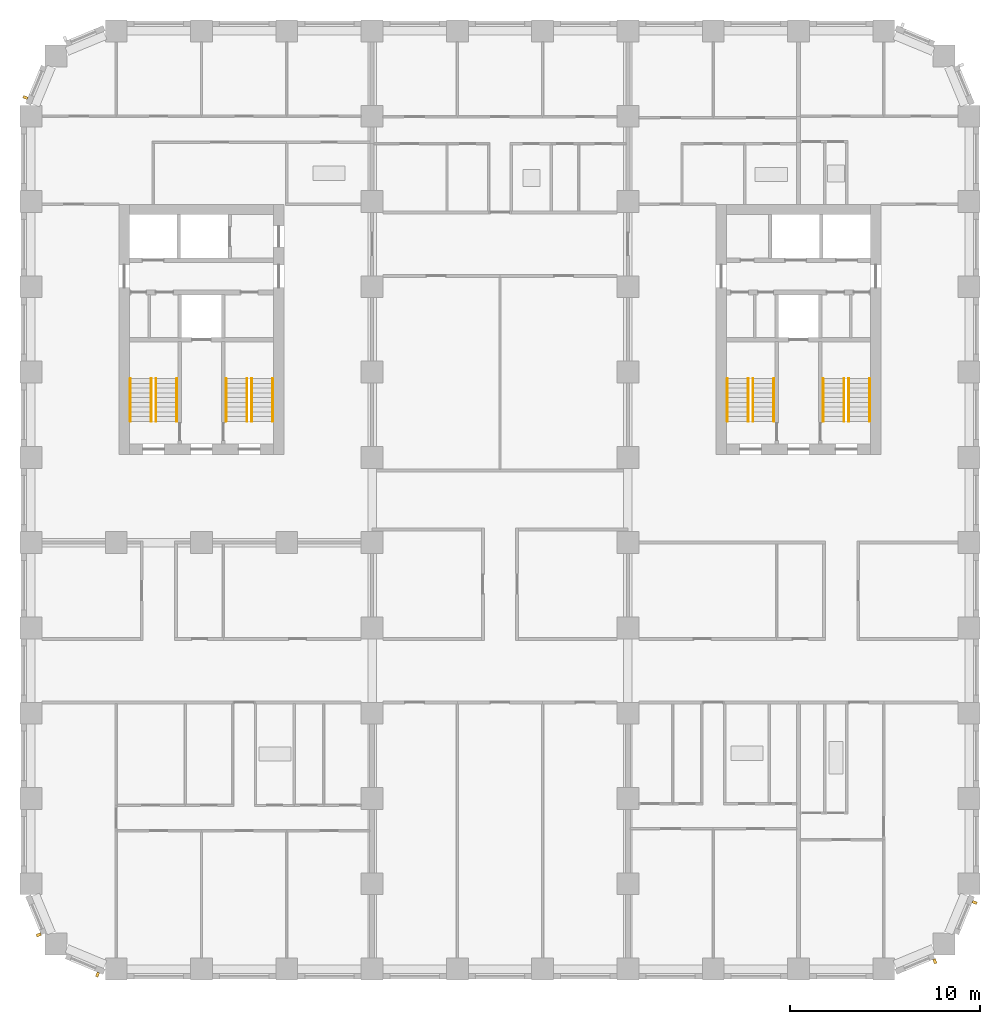
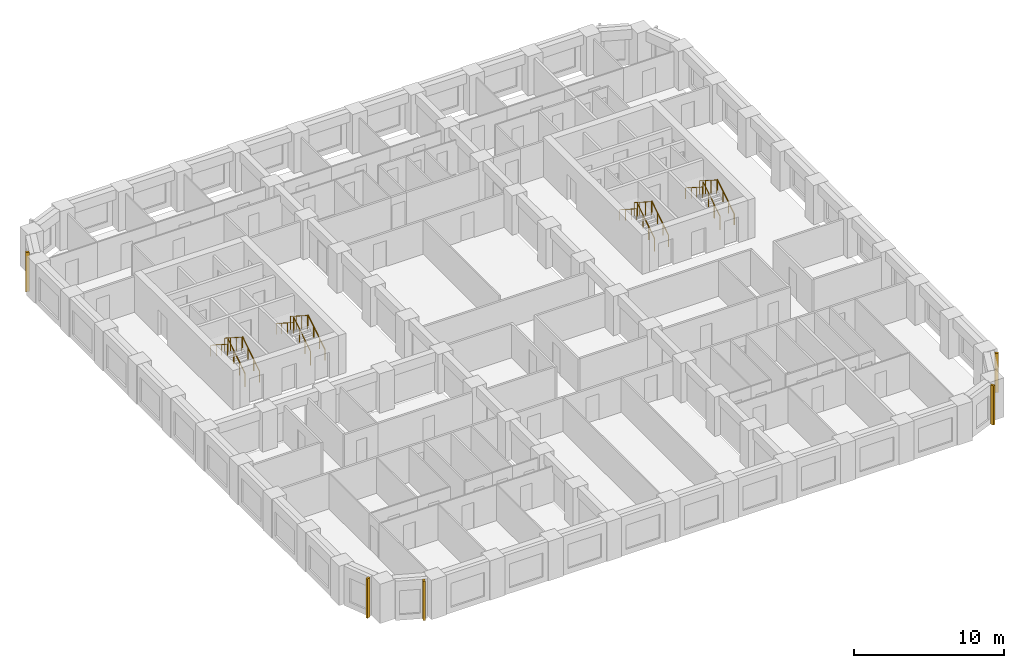
# One storey, part 11 of 13: 16 railings, 5 shading devices.
"""IFC4 building model written with IfcOpenShell, lengths in metres."""

import ifcopenshell
import ifcopenshell.guid

model = None  # the IFC model being written
_history = None  # IfcOwnerHistory: only IFC2X3 demands one
_inside = {}  # id of a spatial element -> (the spatial element, [elements in it])
_under = {}  # id of a project, library or spatial element -> (it, [spatial elements below it])
_declared = {}  # id of a project -> (the project, [libraries it declares])
_typed = {}  # id of a type object -> (the type object, [elements of that type])
_made_of = {}  # id of a material, layer set ... -> (it, [elements and type objects made of it])


def new_model(schema):
    """Start an empty IFC model of exactly this schema.

    Asked for "IFC4X3", IfcOpenShell would pick the latest addendum, in which some entities
    have other attributes; the version numbers below select the first issue.
    IFC2X3 requires an IfcOwnerHistory on every rooted entity: one is made here for all.
    """
    global model, _history
    if schema == "IFC4X3":
        model = ifcopenshell.file(schema_version=(4, 3, 0, 0))
    else:
        model = ifcopenshell.file(schema=schema)
    _inside.clear()
    _under.clear()
    _declared.clear()
    _typed.clear()
    _made_of.clear()
    _history = None
    if model.schema == "IFC2X3":
        org = make("IfcOrganization", Name="unknown")
        user = make(
            "IfcPersonAndOrganization",
            ThePerson=make("IfcPerson", FamilyName="unknown"),
            TheOrganization=org,
        )
        app = make(
            "IfcApplication",
            ApplicationDeveloper=org,
            Version="unknown",
            ApplicationFullName="unknown",
            ApplicationIdentifier="unknown",
        )
        _history = make(
            "IfcOwnerHistory",
            OwningUser=user,
            OwningApplication=app,
            ChangeAction="ADDED",
            CreationDate=0,
        )
    return model


def make(cls, **values):
    """One entity of the class cls with the attributes given. An attribute that is None is left unset."""
    return model.create_entity(
        cls, **{name: value for name, value in values.items() if value is not None}
    )


def rooted(cls, **values):
    """An entity with a GlobalId (a new one), such as an element, a storey or a relation."""
    return make(cls, GlobalId=ifcopenshell.guid.new(), OwnerHistory=_history, **values)


def si_unit(unit_type, name, prefix=None):
    """IfcSIUnit, for example si_unit("LENGTHUNIT", "METRE", prefix="MILLI")."""
    return make("IfcSIUnit", UnitType=unit_type, Prefix=prefix, Name=name)


def assignment(units):
    """IfcUnitAssignment: the units of a project."""
    return None if units is None else make("IfcUnitAssignment", Units=units)


def point(xyz):
    """IfcCartesianPoint."""
    return None if xyz is None else make("IfcCartesianPoint", Coordinates=xyz)


def direction(xyz):
    """IfcDirection."""
    return None if xyz is None else make("IfcDirection", DirectionRatios=xyz)


def frame(location, z_axis=None, x_axis=None):
    """IfcAxis2Placement3D, a coordinate frame: its origin and axes. An axis left out is left unset."""
    return make(
        "IfcAxis2Placement3D",
        Location=point(location),
        Axis=direction(z_axis),
        RefDirection=direction(x_axis),
    )


def frame_2d(location, x_axis=None):
    """IfcAxis2Placement2D, a coordinate frame in the plane: its origin and x axis."""
    return make(
        "IfcAxis2Placement2D", Location=point(location), RefDirection=direction(x_axis)
    )


def origin():
    """The frame at (0, 0, 0) with its axes left unset."""
    return frame((0.0, 0.0, 0.0))


def origin_2d():
    """The frame at (0, 0) in the plane with its x axis left unset."""
    return frame_2d((0.0, 0.0))


def place(relative_to, where):
    """IfcLocalPlacement: puts the frame where relative to a parent placement (None: the world)."""
    return make(
        "IfcLocalPlacement", PlacementRelTo=relative_to, RelativePlacement=where
    )


def context(
    kind, dimensions, precision=None, world=None, true_north=None, identifier=None
):
    """IfcGeometricRepresentationContext, for example the 3D "Model" context."""
    return make(
        "IfcGeometricRepresentationContext",
        ContextIdentifier=identifier,
        ContextType=kind,
        CoordinateSpaceDimension=dimensions,
        Precision=precision,
        WorldCoordinateSystem=world,
        TrueNorth=true_north,
    )


def subcontext(parent, identifier, kind, view, scale=None):
    """IfcGeometricRepresentationSubContext, for example "Body" below "Model"."""
    return make(
        "IfcGeometricRepresentationSubContext",
        ContextIdentifier=identifier,
        ContextType=kind,
        ParentContext=parent,
        TargetScale=scale,
        TargetView=view,
    )


def project(units=None, contexts=None):
    """IfcProject with its units and contexts."""
    return rooted(
        "IfcProject",
        Name="project",
        RepresentationContexts=contexts,
        UnitsInContext=assignment(units),
    )


def spatial(cls, under=None, at=None, **own):
    """A site, building, storey or space (cls), placed at a placement, below another one or the project."""
    s = rooted(cls, ObjectPlacement=at, **own)
    if under is not None:
        _under.setdefault(under.id(), (under, []))[1].append(s)
    return s


def profile(cls, at=None, kind="AREA", **sizes):
    """A parametric profile (cls). Its sizes go by their IFC names, for example OverallWidth=200.0."""
    return make(cls, ProfileType=kind, Position=at, **sizes)


def rectangle(**sizes):
    """IfcRectangleProfileDef."""
    return profile("IfcRectangleProfileDef", **sizes)


def circle(**sizes):
    """IfcCircleProfileDef."""
    return profile("IfcCircleProfileDef", **sizes)


def extrude(swept, where, along, depth):
    """IfcExtrudedAreaSolid: the profile swept, set in the frame where, extruded along a direction by depth."""
    return make(
        "IfcExtrudedAreaSolid",
        SweptArea=swept,
        Position=where,
        ExtrudedDirection=direction(along),
        Depth=depth,
    )


def shape(context_of_items, identifier, shape_type, items):
    """IfcShapeRepresentation: the items that make up one representation, for example the "Body"."""
    return make(
        "IfcShapeRepresentation",
        ContextOfItems=context_of_items,
        RepresentationIdentifier=identifier,
        RepresentationType=shape_type,
        Items=items,
    )


def material(Name=None, Category=None):
    """IfcMaterial."""
    return make("IfcMaterial", Name=Name, Category=Category)


def made_of(thing, what):
    """Note that an element or type object is made of a material, layer set ...; save() writes the relation."""
    if what is not None:
        _made_of.setdefault(what.id(), (what, []))[1].append(thing)
    return thing


def type_object(cls, material=None, **own):
    """A type object (cls), such as IfcWallType, which elements share."""
    return made_of(rooted(cls, **own), material)


def element(
    cls,
    number,
    at=None,
    inside=None,
    cuts=None,
    type_object=None,
    material=None,
    context=None,
    identifier="Body",
    shape_type=None,
    held_by="IfcProductDefinitionShape",
    body=None,
    shapes=None,
    **own,
):
    """One element of the class cls, such as IfcWall. Its Tag is "e" and its number.

    at: its placement. inside: the storey or other place that contains it. cuts: it is an
    opening in that element (IfcRelVoidsElement). A single representation is given by context,
    identifier, shape_type and body (its items); several are given by shapes. held_by: the class
    of the entity that holds the representations. save() writes the other relations.
    """
    e = rooted(cls, Tag="e%d" % number, ObjectPlacement=at, **own)
    if body is not None:
        shapes = [shape(context, identifier, shape_type, body)]
    if shapes is not None:
        e.Representation = make(held_by, Representations=shapes)
    if inside is not None:
        _inside.setdefault(inside.id(), (inside, []))[1].append(e)
    if cuts is not None:
        rooted(
            "IfcRelVoidsElement", RelatingBuildingElement=cuts, RelatedOpeningElement=e
        )
    if type_object is not None:
        _typed.setdefault(type_object.id(), (type_object, []))[1].append(e)
    return made_of(e, material)


def aggregate(whole, parts):
    """IfcRelAggregates: a whole, such as a stair, and the parts it consists of."""
    return rooted("IfcRelAggregates", RelatingObject=whole, RelatedObjects=parts)


def save(model, path):
    """Write the relations noted so far, then the file.

    IfcRelAggregates (storeys below a building ...), IfcRelContainedInSpatialStructure (elements
    in a storey), IfcRelDefinesByType, IfcRelAssociatesMaterial and IfcRelDeclares: one each for
    every whole, place, type object, material and project.
    """
    for whole, parts in _under.values():
        aggregate(whole, parts)
    for where, things in _inside.values():
        rooted(
            "IfcRelContainedInSpatialStructure",
            RelatedElements=things,
            RelatingStructure=where,
        )
    for kind, things in _typed.values():
        rooted("IfcRelDefinesByType", RelatedObjects=things, RelatingType=kind)
    for what, things in _made_of.values():
        rooted("IfcRelAssociatesMaterial", RelatedObjects=things, RelatingMaterial=what)
    for by, libraries in _declared.values():
        rooted("IfcRelDeclares", RelatingContext=by, RelatedDefinitions=libraries)
    model.write(path)


model = new_model("IFC4")

# Units and contexts
model_context = context("Model", 3, precision=1e-05, world=origin(), true_north=direction((0.0, 1.0)))
body_context = subcontext(model_context, "Body", "Model", "MODEL_VIEW")
ifc_project = project(units=[si_unit("LENGTHUNIT", "METRE"), si_unit("AREAUNIT", "SQUARE_METRE"), si_unit("VOLUMEUNIT", "CUBIC_METRE"), si_unit("PLANEANGLEUNIT", "RADIAN"), si_unit("MASSUNIT", "GRAM", prefix="KILO")], contexts=[model_context])

# Site, building, storey
site_placement = place(None, origin())
site = spatial("IfcSite", under=ifc_project, at=site_placement, CompositionType="ELEMENT")
building_placement = place(site_placement, origin())
building = spatial("IfcBuilding", under=site, at=building_placement, Name="Girih Gate Residences", CompositionType="ELEMENT")
storey_placement = place(building_placement, frame((0.0, 0.0, 83.199951171875)))
storey = spatial("IfcBuildingStorey", under=building, at=storey_placement, Name="L22", CompositionType="ELEMENT", Elevation=83.199951171875)

# Shading devices
ifc_material_1 = material(Name="Precast concrete C50/60", Category="concrete")
shading_device_type = type_object("IfcShadingDeviceType", Name="Corner rib 150x250", PredefinedType="USERDEFINED", material=ifc_material_1)
for number, where, z_axis, x_axis, name in (
    (1, (0.412353515625, 1.8056640625, 0.0), (0.0, 0.0, 1.0), (0.382683432365, -0.923879532511, 0.0), "Corner rib SW0000_0045.0"),
    (2, (3.514892578125, -0.29541015625, 0.0), (0.0, 0.0, 1.0), (0.923879532511, -0.382683432365, 0.0), "Corner rib SW0013_0013.0"),
    (3, (47.6943359375, 0.412353515625, 0.0), (0.0, 0.0, 1.0), (0.923879532511, 0.382683432365, 0.0), "Corner rib SE0450_0000.0"),
    (4, (49.79541015625, 3.514892578125, 0.0), (0.0, 0.0, 1.0), (0.382683432365, 0.923879532511, 0.0), "Corner rib SE0482_0013.0"),
    (5, (-0.29541015625, 45.985107421875, 0.0), (0.0, 0.0, 1.0), (-0.382683432365, -0.923879532511, 0.0), "Corner rib NW0013_0482.0"),
):
    element("IfcShadingDevice", number, at=place(storey_placement, frame(where, z_axis=z_axis, x_axis=x_axis)), inside=storey, type_object=shading_device_type, Name=name, ObjectType="FIN", PredefinedType="USERDEFINED", context=body_context, shape_type="SweptSolid", body=[
        extrude(rectangle(XDim=0.14990234375, YDim=0.25, at=origin_2d()), origin(), (0.0, 0.0, 1.0), 3.199951171875),
    ])

# Railings
ifc_material_2 = material(Name="Stainless steel", Category="steel")
railing_type_1 = type_object("IfcRailingType", Name="Stair guard 1100", PredefinedType="GUARDRAIL", material=ifc_material_2)
railing_1_placement = place(storey_placement, frame((6.60009765625, 28.89990234375, 0.16015625)))
element("IfcRailing", 6, at=railing_1_placement, inside=storey, type_object=railing_type_1, Name="L22 ST-W1 stair guard 1", PredefinedType="GUARDRAIL", context=body_context, shape_type="SweptSolid", body=[
    extrude(circle(Radius=0.02392578125, at=origin_2d()), frame((0.0, 0.0, 1.076171875), z_axis=(0.0, 0.842281359387, 0.539038135598), x_axis=(-1.0, 0.0, 0.0)), (0.0, 0.0, 1.0), 2.67138671875),
    extrude(circle(Radius=0.02099609375, at=origin_2d()), origin(), (0.0, 0.0, 1.0), 1.052001953125),
    extrude(circle(Radius=0.02099609375, at=origin_2d()), frame((0.0, 0.75, 0.47998046875)), (0.0, 0.0, 1.0), 1.052001953125),
    extrude(circle(Radius=0.02099609375, at=origin_2d()), frame((0.0, 1.5, 0.9599609375)), (0.0, 0.0, 1.0), 1.052001953125),
    extrude(circle(Radius=0.02099609375, at=origin_2d()), frame((0.0, 2.25, 1.43994140625)), (0.0, 0.0, 1.0), 1.052001953125),
])
railing_2_placement = place(storey_placement, frame((6.35009765625, 31.14990234375, 1.760009765625)))
element("IfcRailing", 7, at=railing_2_placement, inside=storey, type_object=railing_type_1, Name="L22 ST-W1 stair guard 2", PredefinedType="GUARDRAIL", context=body_context, shape_type="SweptSolid", body=[
    extrude(circle(Radius=0.02392578125, at=origin_2d()), frame((0.0, 0.0, 1.076171875), z_axis=(0.0, -0.842281359387, 0.539038135598), x_axis=(1.0, 0.0, 0.0)), (0.0, 0.0, 1.0), 2.67138671875),
    extrude(circle(Radius=0.02099609375, at=origin_2d()), origin(), (0.0, 0.0, 1.0), 1.052001953125),
    extrude(circle(Radius=0.02099609375, at=origin_2d()), frame((0.0, -0.75, 0.47998046875)), (0.0, 0.0, 1.0), 1.052001953125),
    extrude(circle(Radius=0.02099609375, at=origin_2d()), frame((0.0, -1.5, 0.9599609375)), (0.0, 0.0, 1.0), 1.052001953125),
    extrude(circle(Radius=0.02099609375, at=origin_2d()), frame((0.0, -2.25, 1.43994140625)), (0.0, 0.0, 1.0), 1.052001953125),
])
railing_3_placement = place(storey_placement, frame((11.64990234375, 28.89990234375, 0.16015625)))
element("IfcRailing", 8, at=railing_3_placement, inside=storey, type_object=railing_type_1, Name="L22 ST-W2 stair guard 1", PredefinedType="GUARDRAIL", context=body_context, shape_type="SweptSolid", body=[
    extrude(circle(Radius=0.02392578125, at=origin_2d()), frame((0.0, 0.0, 1.076171875), z_axis=(0.0, 0.842281359387, 0.539038135598), x_axis=(-1.0, 0.0, 0.0)), (0.0, 0.0, 1.0), 2.67138671875),
    extrude(circle(Radius=0.02099609375, at=origin_2d()), origin(), (0.0, 0.0, 1.0), 1.052001953125),
    extrude(circle(Radius=0.02099609375, at=origin_2d()), frame((0.0, 0.75, 0.47998046875)), (0.0, 0.0, 1.0), 1.052001953125),
    extrude(circle(Radius=0.02099609375, at=origin_2d()), frame((0.0, 1.5, 0.9599609375)), (0.0, 0.0, 1.0), 1.052001953125),
    extrude(circle(Radius=0.02099609375, at=origin_2d()), frame((0.0, 2.25, 1.43994140625)), (0.0, 0.0, 1.0), 1.052001953125),
])
railing_4_placement = place(storey_placement, frame((11.39990234375, 31.14990234375, 1.760009765625)))
element("IfcRailing", 9, at=railing_4_placement, inside=storey, type_object=railing_type_1, Name="L22 ST-W2 stair guard 2", PredefinedType="GUARDRAIL", context=body_context, shape_type="SweptSolid", body=[
    extrude(circle(Radius=0.02392578125, at=origin_2d()), frame((0.0, 0.0, 1.076171875), z_axis=(0.0, -0.842281359387, 0.539038135598), x_axis=(1.0, 0.0, 0.0)), (0.0, 0.0, 1.0), 2.67138671875),
    extrude(circle(Radius=0.02099609375, at=origin_2d()), origin(), (0.0, 0.0, 1.0), 1.052001953125),
    extrude(circle(Radius=0.02099609375, at=origin_2d()), frame((0.0, -0.75, 0.47998046875)), (0.0, 0.0, 1.0), 1.052001953125),
    extrude(circle(Radius=0.02099609375, at=origin_2d()), frame((0.0, -1.5, 0.9599609375)), (0.0, 0.0, 1.0), 1.052001953125),
    extrude(circle(Radius=0.02099609375, at=origin_2d()), frame((0.0, -2.25, 1.43994140625)), (0.0, 0.0, 1.0), 1.052001953125),
])
railing_5_placement = place(storey_placement, frame((43.14990234375, 28.89990234375, 0.16015625)))
element("IfcRailing", 10, at=railing_5_placement, inside=storey, type_object=railing_type_1, Name="L22 ST-E1 stair guard 1", PredefinedType="GUARDRAIL", context=body_context, shape_type="SweptSolid", body=[
    extrude(circle(Radius=0.02392578125, at=origin_2d()), frame((0.0, 0.0, 1.076171875), z_axis=(0.0, 0.842281359387, 0.539038135598), x_axis=(-1.0, 0.0, 0.0)), (0.0, 0.0, 1.0), 2.67138671875),
    extrude(circle(Radius=0.02099609375, at=origin_2d()), origin(), (0.0, 0.0, 1.0), 1.052001953125),
    extrude(circle(Radius=0.02099609375, at=origin_2d()), frame((0.0, 0.75, 0.47998046875)), (0.0, 0.0, 1.0), 1.052001953125),
    extrude(circle(Radius=0.02099609375, at=origin_2d()), frame((0.0, 1.5, 0.9599609375)), (0.0, 0.0, 1.0), 1.052001953125),
    extrude(circle(Radius=0.02099609375, at=origin_2d()), frame((0.0, 2.25, 1.43994140625)), (0.0, 0.0, 1.0), 1.052001953125),
])
railing_6_placement = place(storey_placement, frame((42.89990234375, 31.14990234375, 1.760009765625)))
element("IfcRailing", 11, at=railing_6_placement, inside=storey, type_object=railing_type_1, Name="L22 ST-E1 stair guard 2", PredefinedType="GUARDRAIL", context=body_context, shape_type="SweptSolid", body=[
    extrude(circle(Radius=0.02392578125, at=origin_2d()), frame((0.0, 0.0, 1.076171875), z_axis=(0.0, -0.842281359387, 0.539038135598), x_axis=(1.0, 0.0, 0.0)), (0.0, 0.0, 1.0), 2.67138671875),
    extrude(circle(Radius=0.02099609375, at=origin_2d()), origin(), (0.0, 0.0, 1.0), 1.052001953125),
    extrude(circle(Radius=0.02099609375, at=origin_2d()), frame((0.0, -0.75, 0.47998046875)), (0.0, 0.0, 1.0), 1.052001953125),
    extrude(circle(Radius=0.02099609375, at=origin_2d()), frame((0.0, -1.5, 0.9599609375)), (0.0, 0.0, 1.0), 1.052001953125),
    extrude(circle(Radius=0.02099609375, at=origin_2d()), frame((0.0, -2.25, 1.43994140625)), (0.0, 0.0, 1.0), 1.052001953125),
])
railing_7_placement = place(storey_placement, frame((38.10009765625, 28.89990234375, 0.16015625)))
element("IfcRailing", 12, at=railing_7_placement, inside=storey, type_object=railing_type_1, Name="L22 ST-E2 stair guard 1", PredefinedType="GUARDRAIL", context=body_context, shape_type="SweptSolid", body=[
    extrude(circle(Radius=0.02392578125, at=origin_2d()), frame((0.0, 0.0, 1.076171875), z_axis=(0.0, 0.842281359387, 0.539038135598), x_axis=(-1.0, 0.0, 0.0)), (0.0, 0.0, 1.0), 2.67138671875),
    extrude(circle(Radius=0.02099609375, at=origin_2d()), origin(), (0.0, 0.0, 1.0), 1.052001953125),
    extrude(circle(Radius=0.02099609375, at=origin_2d()), frame((0.0, 0.75, 0.47998046875)), (0.0, 0.0, 1.0), 1.052001953125),
    extrude(circle(Radius=0.02099609375, at=origin_2d()), frame((0.0, 1.5, 0.9599609375)), (0.0, 0.0, 1.0), 1.052001953125),
    extrude(circle(Radius=0.02099609375, at=origin_2d()), frame((0.0, 2.25, 1.43994140625)), (0.0, 0.0, 1.0), 1.052001953125),
])
railing_8_placement = place(storey_placement, frame((37.85009765625, 31.14990234375, 1.760009765625)))
element("IfcRailing", 13, at=railing_8_placement, inside=storey, type_object=railing_type_1, Name="L22 ST-E2 stair guard 2", PredefinedType="GUARDRAIL", context=body_context, shape_type="SweptSolid", body=[
    extrude(circle(Radius=0.02392578125, at=origin_2d()), frame((0.0, 0.0, 1.076171875), z_axis=(0.0, -0.842281359387, 0.539038135598), x_axis=(1.0, 0.0, 0.0)), (0.0, 0.0, 1.0), 2.67138671875),
    extrude(circle(Radius=0.02099609375, at=origin_2d()), origin(), (0.0, 0.0, 1.0), 1.052001953125),
    extrude(circle(Radius=0.02099609375, at=origin_2d()), frame((0.0, -0.75, 0.47998046875)), (0.0, 0.0, 1.0), 1.052001953125),
    extrude(circle(Radius=0.02099609375, at=origin_2d()), frame((0.0, -1.5, 0.9599609375)), (0.0, 0.0, 1.0), 1.052001953125),
    extrude(circle(Radius=0.02099609375, at=origin_2d()), frame((0.0, -2.25, 1.43994140625)), (0.0, 0.0, 1.0), 1.052001953125),
])
railing_type_2 = type_object("IfcRailingType", Name="Stair handrail 900", PredefinedType="HANDRAIL", material=ifc_material_2)
railing_9_placement = place(storey_placement, frame((7.699951171875, 28.89990234375, 0.16015625)))
element("IfcRailing", 14, at=railing_9_placement, inside=storey, type_object=railing_type_2, Name="L22 ST-W1 stair handrail 1", PredefinedType="HANDRAIL", context=body_context, shape_type="SweptSolid", body=[
    extrude(circle(Radius=0.02392578125, at=origin_2d()), frame((0.0, 0.0, 0.8857421875), z_axis=(0.0, 0.842281359387, 0.539038135598), x_axis=(-1.0, 0.0, 0.0)), (0.0, 0.0, 1.0), 2.67138671875),
    extrude(circle(Radius=0.02099609375, at=origin_2d()), origin(), (0.0, 0.0, 1.0), 0.86181640625),
    extrude(circle(Radius=0.02099609375, at=origin_2d()), frame((0.0, 0.75, 0.47998046875)), (0.0, 0.0, 1.0), 0.86181640625),
    extrude(circle(Radius=0.02099609375, at=origin_2d()), frame((0.0, 1.5, 0.9599609375)), (0.0, 0.0, 1.0), 0.86181640625),
    extrude(circle(Radius=0.02099609375, at=origin_2d()), frame((0.0, 2.25, 1.43994140625)), (0.0, 0.0, 1.0), 0.86181640625),
])
railing_10_placement = place(storey_placement, frame((5.25, 31.14990234375, 1.760009765625)))
element("IfcRailing", 15, at=railing_10_placement, inside=storey, type_object=railing_type_2, Name="L22 ST-W1 stair handrail 2", PredefinedType="HANDRAIL", context=body_context, shape_type="SweptSolid", body=[
    extrude(circle(Radius=0.02392578125, at=origin_2d()), frame((0.0, 0.0, 0.8857421875), z_axis=(0.0, -0.842281359387, 0.539038135598), x_axis=(1.0, 0.0, 0.0)), (0.0, 0.0, 1.0), 2.67138671875),
    extrude(circle(Radius=0.02099609375, at=origin_2d()), origin(), (0.0, 0.0, 1.0), 0.86181640625),
    extrude(circle(Radius=0.02099609375, at=origin_2d()), frame((0.0, -0.75, 0.47998046875)), (0.0, 0.0, 1.0), 0.86181640625),
    extrude(circle(Radius=0.02099609375, at=origin_2d()), frame((0.0, -1.5, 0.9599609375)), (0.0, 0.0, 1.0), 0.86181640625),
    extrude(circle(Radius=0.02099609375, at=origin_2d()), frame((0.0, -2.25, 1.43994140625)), (0.0, 0.0, 1.0), 0.86181640625),
])
railing_11_placement = place(storey_placement, frame((12.75, 28.89990234375, 0.16015625)))
element("IfcRailing", 16, at=railing_11_placement, inside=storey, type_object=railing_type_2, Name="L22 ST-W2 stair handrail 1", PredefinedType="HANDRAIL", context=body_context, shape_type="SweptSolid", body=[
    extrude(circle(Radius=0.02392578125, at=origin_2d()), frame((0.0, 0.0, 0.8857421875), z_axis=(0.0, 0.842281359387, 0.539038135598), x_axis=(-1.0, 0.0, 0.0)), (0.0, 0.0, 1.0), 2.67138671875),
    extrude(circle(Radius=0.02099609375, at=origin_2d()), origin(), (0.0, 0.0, 1.0), 0.86181640625),
    extrude(circle(Radius=0.02099609375, at=origin_2d()), frame((0.0, 0.75, 0.47998046875)), (0.0, 0.0, 1.0), 0.86181640625),
    extrude(circle(Radius=0.02099609375, at=origin_2d()), frame((0.0, 1.5, 0.9599609375)), (0.0, 0.0, 1.0), 0.86181640625),
    extrude(circle(Radius=0.02099609375, at=origin_2d()), frame((0.0, 2.25, 1.43994140625)), (0.0, 0.0, 1.0), 0.86181640625),
])
railing_12_placement = place(storey_placement, frame((10.300048828125, 31.14990234375, 1.760009765625)))
element("IfcRailing", 17, at=railing_12_placement, inside=storey, type_object=railing_type_2, Name="L22 ST-W2 stair handrail 2", PredefinedType="HANDRAIL", context=body_context, shape_type="SweptSolid", body=[
    extrude(circle(Radius=0.02392578125, at=origin_2d()), frame((0.0, 0.0, 0.8857421875), z_axis=(0.0, -0.842281359387, 0.539038135598), x_axis=(1.0, 0.0, 0.0)), (0.0, 0.0, 1.0), 2.67138671875),
    extrude(circle(Radius=0.02099609375, at=origin_2d()), origin(), (0.0, 0.0, 1.0), 0.86181640625),
    extrude(circle(Radius=0.02099609375, at=origin_2d()), frame((0.0, -0.75, 0.47998046875)), (0.0, 0.0, 1.0), 0.86181640625),
    extrude(circle(Radius=0.02099609375, at=origin_2d()), frame((0.0, -1.5, 0.9599609375)), (0.0, 0.0, 1.0), 0.86181640625),
    extrude(circle(Radius=0.02099609375, at=origin_2d()), frame((0.0, -2.25, 1.43994140625)), (0.0, 0.0, 1.0), 0.86181640625),
])
railing_13_placement = place(storey_placement, frame((44.25, 28.89990234375, 0.16015625)))
element("IfcRailing", 18, at=railing_13_placement, inside=storey, type_object=railing_type_2, Name="L22 ST-E1 stair handrail 1", PredefinedType="HANDRAIL", context=body_context, shape_type="SweptSolid", body=[
    extrude(circle(Radius=0.02392578125, at=origin_2d()), frame((0.0, 0.0, 0.8857421875), z_axis=(0.0, 0.842281359387, 0.539038135598), x_axis=(-1.0, 0.0, 0.0)), (0.0, 0.0, 1.0), 2.67138671875),
    extrude(circle(Radius=0.02099609375, at=origin_2d()), origin(), (0.0, 0.0, 1.0), 0.86181640625),
    extrude(circle(Radius=0.02099609375, at=origin_2d()), frame((0.0, 0.75, 0.47998046875)), (0.0, 0.0, 1.0), 0.86181640625),
    extrude(circle(Radius=0.02099609375, at=origin_2d()), frame((0.0, 1.5, 0.9599609375)), (0.0, 0.0, 1.0), 0.86181640625),
    extrude(circle(Radius=0.02099609375, at=origin_2d()), frame((0.0, 2.25, 1.43994140625)), (0.0, 0.0, 1.0), 0.86181640625),
])
railing_14_placement = place(storey_placement, frame((41.800048828125, 31.14990234375, 1.760009765625)))
element("IfcRailing", 19, at=railing_14_placement, inside=storey, type_object=railing_type_2, Name="L22 ST-E1 stair handrail 2", PredefinedType="HANDRAIL", context=body_context, shape_type="SweptSolid", body=[
    extrude(circle(Radius=0.02392578125, at=origin_2d()), frame((0.0, 0.0, 0.8857421875), z_axis=(0.0, -0.842281359387, 0.539038135598), x_axis=(1.0, 0.0, 0.0)), (0.0, 0.0, 1.0), 2.67138671875),
    extrude(circle(Radius=0.02099609375, at=origin_2d()), origin(), (0.0, 0.0, 1.0), 0.86181640625),
    extrude(circle(Radius=0.02099609375, at=origin_2d()), frame((0.0, -0.75, 0.47998046875)), (0.0, 0.0, 1.0), 0.86181640625),
    extrude(circle(Radius=0.02099609375, at=origin_2d()), frame((0.0, -1.5, 0.9599609375)), (0.0, 0.0, 1.0), 0.86181640625),
    extrude(circle(Radius=0.02099609375, at=origin_2d()), frame((0.0, -2.25, 1.43994140625)), (0.0, 0.0, 1.0), 0.86181640625),
])
railing_15_placement = place(storey_placement, frame((39.199951171875, 28.89990234375, 0.16015625)))
element("IfcRailing", 20, at=railing_15_placement, inside=storey, type_object=railing_type_2, Name="L22 ST-E2 stair handrail 1", PredefinedType="HANDRAIL", context=body_context, shape_type="SweptSolid", body=[
    extrude(circle(Radius=0.02392578125, at=origin_2d()), frame((0.0, 0.0, 0.8857421875), z_axis=(0.0, 0.842281359387, 0.539038135598), x_axis=(-1.0, 0.0, 0.0)), (0.0, 0.0, 1.0), 2.67138671875),
    extrude(circle(Radius=0.02099609375, at=origin_2d()), origin(), (0.0, 0.0, 1.0), 0.86181640625),
    extrude(circle(Radius=0.02099609375, at=origin_2d()), frame((0.0, 0.75, 0.47998046875)), (0.0, 0.0, 1.0), 0.86181640625),
    extrude(circle(Radius=0.02099609375, at=origin_2d()), frame((0.0, 1.5, 0.9599609375)), (0.0, 0.0, 1.0), 0.86181640625),
    extrude(circle(Radius=0.02099609375, at=origin_2d()), frame((0.0, 2.25, 1.43994140625)), (0.0, 0.0, 1.0), 0.86181640625),
])
railing_16_placement = place(storey_placement, frame((36.75, 31.14990234375, 1.760009765625)))
element("IfcRailing", 21, at=railing_16_placement, inside=storey, type_object=railing_type_2, Name="L22 ST-E2 stair handrail 2", PredefinedType="HANDRAIL", context=body_context, shape_type="SweptSolid", body=[
    extrude(circle(Radius=0.02392578125, at=origin_2d()), frame((0.0, 0.0, 0.8857421875), z_axis=(0.0, -0.842281359387, 0.539038135598), x_axis=(1.0, 0.0, 0.0)), (0.0, 0.0, 1.0), 2.67138671875),
    extrude(circle(Radius=0.02099609375, at=origin_2d()), origin(), (0.0, 0.0, 1.0), 0.86181640625),
    extrude(circle(Radius=0.02099609375, at=origin_2d()), frame((0.0, -0.75, 0.47998046875)), (0.0, 0.0, 1.0), 0.86181640625),
    extrude(circle(Radius=0.02099609375, at=origin_2d()), frame((0.0, -1.5, 0.9599609375)), (0.0, 0.0, 1.0), 0.86181640625),
    extrude(circle(Radius=0.02099609375, at=origin_2d()), frame((0.0, -2.25, 1.43994140625)), (0.0, 0.0, 1.0), 0.86181640625),
])

save(model, "model.ifc")
